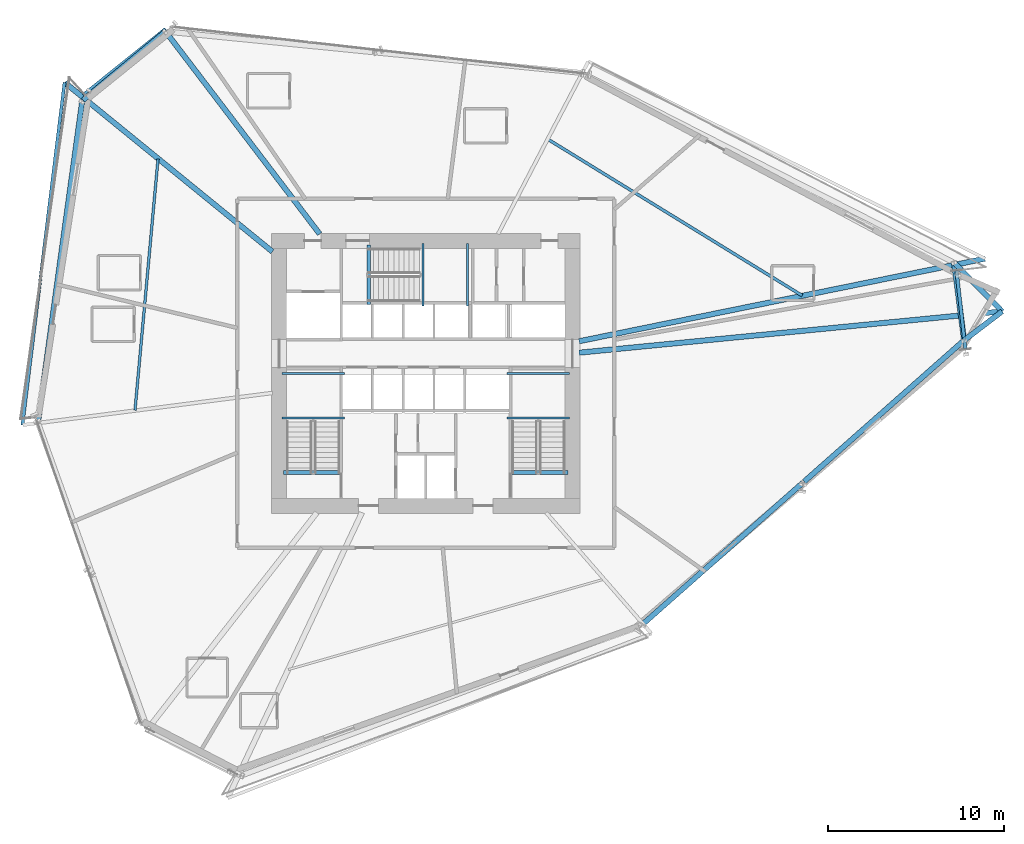
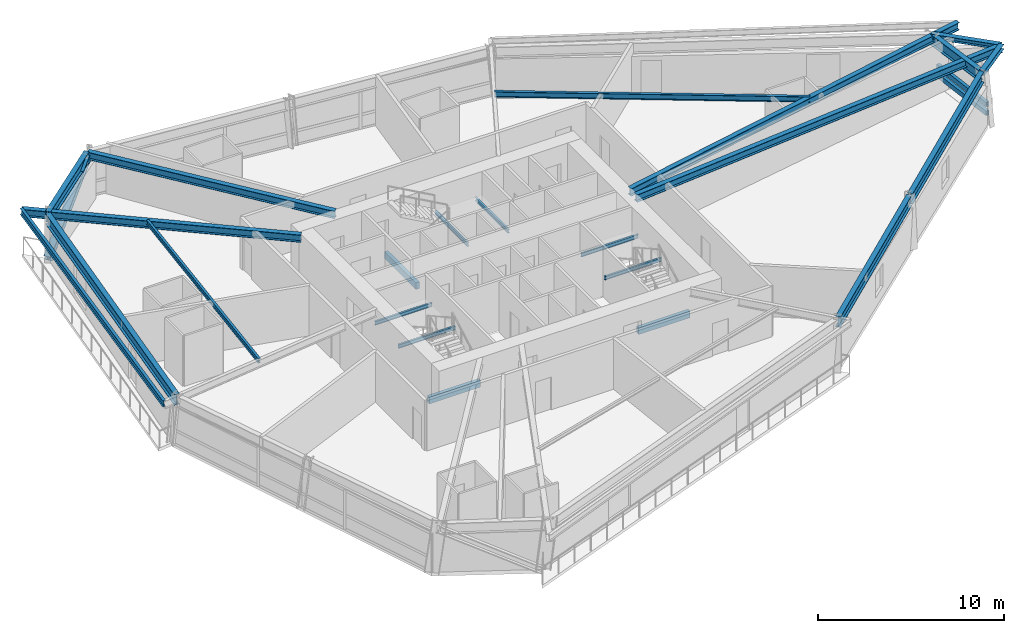
# One storey, part 7 of 22: 23 beams, 3 members.
"""IFC4 building model written with IfcOpenShell, lengths in metres."""

import ifcopenshell
import ifcopenshell.guid

model = None  # the IFC model being written
_history = None  # IfcOwnerHistory: only IFC2X3 demands one
_inside = {}  # id of a spatial element -> (the spatial element, [elements in it])
_under = {}  # id of a project, library or spatial element -> (it, [spatial elements below it])
_declared = {}  # id of a project -> (the project, [libraries it declares])
_typed = {}  # id of a type object -> (the type object, [elements of that type])
_made_of = {}  # id of a material, layer set ... -> (it, [elements and type objects made of it])


def new_model(schema):
    """Start an empty IFC model of exactly this schema.

    Asked for "IFC4X3", IfcOpenShell would pick the latest addendum, in which some entities
    have other attributes; the version numbers below select the first issue.
    IFC2X3 requires an IfcOwnerHistory on every rooted entity: one is made here for all.
    """
    global model, _history
    if schema == "IFC4X3":
        model = ifcopenshell.file(schema_version=(4, 3, 0, 0))
    else:
        model = ifcopenshell.file(schema=schema)
    _inside.clear()
    _under.clear()
    _declared.clear()
    _typed.clear()
    _made_of.clear()
    _history = None
    if model.schema == "IFC2X3":
        org = make("IfcOrganization", Name="unknown")
        user = make(
            "IfcPersonAndOrganization",
            ThePerson=make("IfcPerson", FamilyName="unknown"),
            TheOrganization=org,
        )
        app = make(
            "IfcApplication",
            ApplicationDeveloper=org,
            Version="unknown",
            ApplicationFullName="unknown",
            ApplicationIdentifier="unknown",
        )
        _history = make(
            "IfcOwnerHistory",
            OwningUser=user,
            OwningApplication=app,
            ChangeAction="ADDED",
            CreationDate=0,
        )
    return model


def make(cls, **values):
    """One entity of the class cls with the attributes given. An attribute that is None is left unset."""
    return model.create_entity(
        cls, **{name: value for name, value in values.items() if value is not None}
    )


def rooted(cls, **values):
    """An entity with a GlobalId (a new one), such as an element, a storey or a relation."""
    return make(cls, GlobalId=ifcopenshell.guid.new(), OwnerHistory=_history, **values)


def si_unit(unit_type, name, prefix=None):
    """IfcSIUnit, for example si_unit("LENGTHUNIT", "METRE", prefix="MILLI")."""
    return make("IfcSIUnit", UnitType=unit_type, Prefix=prefix, Name=name)


def assignment(units):
    """IfcUnitAssignment: the units of a project."""
    return None if units is None else make("IfcUnitAssignment", Units=units)


def point(xyz):
    """IfcCartesianPoint."""
    return None if xyz is None else make("IfcCartesianPoint", Coordinates=xyz)


def direction(xyz):
    """IfcDirection."""
    return None if xyz is None else make("IfcDirection", DirectionRatios=xyz)


def frame(location, z_axis=None, x_axis=None):
    """IfcAxis2Placement3D, a coordinate frame: its origin and axes. An axis left out is left unset."""
    return make(
        "IfcAxis2Placement3D",
        Location=point(location),
        Axis=direction(z_axis),
        RefDirection=direction(x_axis),
    )


def frame_2d(location, x_axis=None):
    """IfcAxis2Placement2D, a coordinate frame in the plane: its origin and x axis."""
    return make(
        "IfcAxis2Placement2D", Location=point(location), RefDirection=direction(x_axis)
    )


def origin():
    """The frame at (0, 0, 0) with its axes left unset."""
    return frame((0.0, 0.0, 0.0))


def origin_2d():
    """The frame at (0, 0) in the plane with its x axis left unset."""
    return frame_2d((0.0, 0.0))


def place(relative_to, where):
    """IfcLocalPlacement: puts the frame where relative to a parent placement (None: the world)."""
    return make(
        "IfcLocalPlacement", PlacementRelTo=relative_to, RelativePlacement=where
    )


def context(
    kind, dimensions, precision=None, world=None, true_north=None, identifier=None
):
    """IfcGeometricRepresentationContext, for example the 3D "Model" context."""
    return make(
        "IfcGeometricRepresentationContext",
        ContextIdentifier=identifier,
        ContextType=kind,
        CoordinateSpaceDimension=dimensions,
        Precision=precision,
        WorldCoordinateSystem=world,
        TrueNorth=true_north,
    )


def subcontext(parent, identifier, kind, view, scale=None):
    """IfcGeometricRepresentationSubContext, for example "Body" below "Model"."""
    return make(
        "IfcGeometricRepresentationSubContext",
        ContextIdentifier=identifier,
        ContextType=kind,
        ParentContext=parent,
        TargetScale=scale,
        TargetView=view,
    )


def project(units=None, contexts=None):
    """IfcProject with its units and contexts."""
    return rooted(
        "IfcProject",
        Name="project",
        RepresentationContexts=contexts,
        UnitsInContext=assignment(units),
    )


def spatial(cls, under=None, at=None, **own):
    """A site, building, storey or space (cls), placed at a placement, below another one or the project."""
    s = rooted(cls, ObjectPlacement=at, **own)
    if under is not None:
        _under.setdefault(under.id(), (under, []))[1].append(s)
    return s


def profile(cls, at=None, kind="AREA", **sizes):
    """A parametric profile (cls). Its sizes go by their IFC names, for example OverallWidth=200.0."""
    return make(cls, ProfileType=kind, Position=at, **sizes)


def rectangle(**sizes):
    """IfcRectangleProfileDef."""
    return profile("IfcRectangleProfileDef", **sizes)


def hollow_rectangle(**sizes):
    """IfcRectangleHollowProfileDef."""
    return profile("IfcRectangleHollowProfileDef", **sizes)


def i_section(**sizes):
    """IfcIShapeProfileDef."""
    return profile("IfcIShapeProfileDef", **sizes)


def extrude(swept, where, along, depth):
    """IfcExtrudedAreaSolid: the profile swept, set in the frame where, extruded along a direction by depth."""
    return make(
        "IfcExtrudedAreaSolid",
        SweptArea=swept,
        Position=where,
        ExtrudedDirection=direction(along),
        Depth=depth,
    )


def shape(context_of_items, identifier, shape_type, items):
    """IfcShapeRepresentation: the items that make up one representation, for example the "Body"."""
    return make(
        "IfcShapeRepresentation",
        ContextOfItems=context_of_items,
        RepresentationIdentifier=identifier,
        RepresentationType=shape_type,
        Items=items,
    )


def source(mapping_origin, context_of_items, identifier, shape_type, items):
    """IfcRepresentationMap: a shape defined once, which mapped items show again and again."""
    return make(
        "IfcRepresentationMap",
        MappingOrigin=mapping_origin,
        MappedRepresentation=shape(context_of_items, identifier, shape_type, items),
    )


def transform(
    local_origin,
    x_axis=None,
    y_axis=None,
    z_axis=None,
    scale=None,
    scale2=None,
    scale3=None,
    uniform=True,
):
    """IfcCartesianTransformationOperator3D, or its non-uniform kind. x_axis, y_axis, z_axis: its Axis1, 2, 3."""
    if uniform:
        return make(
            "IfcCartesianTransformationOperator3D",
            Axis1=direction(x_axis),
            Axis2=direction(y_axis),
            LocalOrigin=point(local_origin),
            Scale=scale,
            Axis3=direction(z_axis),
        )
    return make(
        "IfcCartesianTransformationOperator3DnonUniform",
        Axis1=direction(x_axis),
        Axis2=direction(y_axis),
        LocalOrigin=point(local_origin),
        Scale=scale,
        Axis3=direction(z_axis),
        Scale2=scale2,
        Scale3=scale3,
    )


def mapped(mapping_source, mapping_target):
    """IfcMappedItem: shows the shape of a source again, moved by a transform."""
    return make(
        "IfcMappedItem", MappingSource=mapping_source, MappingTarget=mapping_target
    )


def material(Name=None, Category=None):
    """IfcMaterial."""
    return make("IfcMaterial", Name=Name, Category=Category)


def material_profile(
    of_material, cross_section, Name=None, Category=None, Priority=None
):
    """IfcMaterialProfile: a cross section and its material."""
    return make(
        "IfcMaterialProfile",
        Name=Name,
        Material=of_material,
        Profile=cross_section,
        Priority=Priority,
        Category=Category,
    )


def profile_set(profiles, Name=None, composite=None):
    """IfcMaterialProfileSet."""
    return make(
        "IfcMaterialProfileSet",
        Name=Name,
        MaterialProfiles=profiles,
        CompositeProfile=composite,
    )


def made_of(thing, what):
    """Note that an element or type object is made of a material, layer set ...; save() writes the relation."""
    if what is not None:
        _made_of.setdefault(what.id(), (what, []))[1].append(thing)
    return thing


def type_object(cls, material=None, **own):
    """A type object (cls), such as IfcWallType, which elements share."""
    return made_of(rooted(cls, **own), material)


def element(
    cls,
    number,
    at=None,
    inside=None,
    cuts=None,
    type_object=None,
    material=None,
    context=None,
    identifier="Body",
    shape_type=None,
    held_by="IfcProductDefinitionShape",
    body=None,
    shapes=None,
    **own,
):
    """One element of the class cls, such as IfcWall. Its Tag is "e" and its number.

    at: its placement. inside: the storey or other place that contains it. cuts: it is an
    opening in that element (IfcRelVoidsElement). A single representation is given by context,
    identifier, shape_type and body (its items); several are given by shapes. held_by: the class
    of the entity that holds the representations. save() writes the other relations.
    """
    e = rooted(cls, Tag="e%d" % number, ObjectPlacement=at, **own)
    if body is not None:
        shapes = [shape(context, identifier, shape_type, body)]
    if shapes is not None:
        e.Representation = make(held_by, Representations=shapes)
    if inside is not None:
        _inside.setdefault(inside.id(), (inside, []))[1].append(e)
    if cuts is not None:
        rooted(
            "IfcRelVoidsElement", RelatingBuildingElement=cuts, RelatedOpeningElement=e
        )
    if type_object is not None:
        _typed.setdefault(type_object.id(), (type_object, []))[1].append(e)
    return made_of(e, material)


def aggregate(whole, parts):
    """IfcRelAggregates: a whole, such as a stair, and the parts it consists of."""
    return rooted("IfcRelAggregates", RelatingObject=whole, RelatedObjects=parts)


def save(model, path):
    """Write the relations noted so far, then the file.

    IfcRelAggregates (storeys below a building ...), IfcRelContainedInSpatialStructure (elements
    in a storey), IfcRelDefinesByType, IfcRelAssociatesMaterial and IfcRelDeclares: one each for
    every whole, place, type object, material and project.
    """
    for whole, parts in _under.values():
        aggregate(whole, parts)
    for where, things in _inside.values():
        rooted(
            "IfcRelContainedInSpatialStructure",
            RelatedElements=things,
            RelatingStructure=where,
        )
    for kind, things in _typed.values():
        rooted("IfcRelDefinesByType", RelatedObjects=things, RelatingType=kind)
    for what, things in _made_of.values():
        rooted("IfcRelAssociatesMaterial", RelatedObjects=things, RelatingMaterial=what)
    for by, libraries in _declared.values():
        rooted("IfcRelDeclares", RelatingContext=by, RelatedDefinitions=libraries)
    model.write(path)


model = new_model("IFC4")

# Units and contexts
model_context = context("Model", 3, precision=1e-05, world=origin(), true_north=direction((0.0, 1.0)))
body_context = subcontext(model_context, "Body", "Model", "MODEL_VIEW")
ifc_project = project(units=[si_unit("LENGTHUNIT", "METRE"), si_unit("AREAUNIT", "SQUARE_METRE"), si_unit("VOLUMEUNIT", "CUBIC_METRE"), si_unit("PLANEANGLEUNIT", "RADIAN"), si_unit("MASSUNIT", "GRAM", prefix="KILO")], contexts=[model_context])

# Site, building, storey
site_placement = place(None, origin())
site = spatial("IfcSite", under=ifc_project, at=site_placement, CompositionType="ELEMENT")
building_placement = place(site_placement, origin())
building = spatial("IfcBuilding", under=site, at=building_placement, Name="Olszyna Solenne Hotel", CompositionType="ELEMENT")
storey_placement = place(building_placement, frame((0.0, 0.0, 61.25)))
storey = spatial("IfcBuildingStorey", under=building, at=storey_placement, Name="L15", CompositionType="ELEMENT", Elevation=61.25)

# Beams
ifc_material_1 = material(Name="Steel S355J2", Category="steel")
ifc_material_profile_1 = material_profile(ifc_material_1, i_section(OverallWidth=0.300048828125, OverallDepth=0.699951171875, WebThickness=0.01708984375, FlangeThickness=0.031982421875, at=origin_2d()), Name="HEB 700", Category="load-bearing")
ifc_profile_set_1 = profile_set([ifc_material_profile_1], Name="Steel S355J2")
beam_type_1 = type_object("IfcBeamType", Name="BM-S1", PredefinedType="BEAM", material=ifc_profile_set_1)
shared_shape_1 = source(origin(), body_context, "Body", "SweptSolid", [
    extrude(i_section(OverallWidth=0.300048828125, OverallDepth=0.699951171875, WebThickness=0.01708984375, FlangeThickness=0.031982421875, at=origin_2d()), origin(), (0.0, 0.0, 1.0), 4.31982421875),
])
beam_1_placement = place(storey_placement, frame((68.550048828125, 28.53271484375, 2.949951171875), z_axis=(-0.127949819118, 0.991780642979, 0.0), x_axis=(-0.991780642979, -0.127949819118, 0.0)))
element("IfcBeam", 1, at=beam_1_placement, inside=storey, type_object=beam_type_1, Name="Perimeter spandrel beam BM-S1 B-L15-0466", PredefinedType="BEAM", context=body_context, shape_type="MappedRepresentation", body=[
    mapped(shared_shape_1, transform((0.0, 0.0, 0.0), x_axis=(1.0, 0.0, 0.0), y_axis=(0.0, 1.0, 0.0), z_axis=(0.0, 0.0, 1.0), scale=1.0)),
])
shared_shape_2 = source(origin(), body_context, "Body", "SweptSolid", [
    extrude(i_section(OverallWidth=0.300048828125, OverallDepth=0.699951171875, WebThickness=0.01708984375, FlangeThickness=0.031982421875, at=origin_2d()), origin(), (0.0, 0.0, 1.0), 6.03369140625),
])
beam_2_placement = place(storey_placement, frame((23.177978515625, 45.968017578125, 2.949951171875), z_axis=(-0.768271026871, -0.64012469822, 0.0), x_axis=(0.64012469822, -0.768271026871, 0.0)))
element("IfcBeam", 2, at=beam_2_placement, inside=storey, type_object=beam_type_1, Name="Perimeter spandrel beam BM-S1 B-L15-0470", PredefinedType="BEAM", context=body_context, shape_type="MappedRepresentation", body=[
    mapped(shared_shape_2, transform((0.0, 0.0, 0.0), x_axis=(1.0, 0.0, 0.0), y_axis=(0.0, 1.0, 0.0), z_axis=(0.0, 0.0, 1.0), scale=1.0)),
])
shared_shape_3 = source(origin(), body_context, "Body", "SweptSolid", [
    extrude(i_section(OverallWidth=0.300048828125, OverallDepth=0.699951171875, WebThickness=0.01708984375, FlangeThickness=0.031982421875, at=origin_2d()), origin(), (0.0, 0.0, 1.0), 18.336181640625),
])
beam_3_placement = place(storey_placement, frame((18.48828125, 42.0078125, 2.949951171875), z_axis=(-0.136196288767, -0.990681871706, 0.0), x_axis=(0.990681871706, -0.136196288767, 0.0)))
element("IfcBeam", 3, at=beam_3_placement, inside=storey, type_object=beam_type_1, Name="Perimeter spandrel beam BM-S1 B-L15-0471", PredefinedType="BEAM", context=body_context, shape_type="MappedRepresentation", body=[
    mapped(shared_shape_3, transform((0.0, 0.0, 0.0), x_axis=(1.0, 0.0, 0.0), y_axis=(0.0, 1.0, 0.0), z_axis=(0.0, 0.0, 1.0), scale=1.0)),
])
shared_shape_4 = source(origin(), body_context, "Body", "SweptSolid", [
    extrude(i_section(OverallWidth=0.300048828125, OverallDepth=0.699951171875, WebThickness=0.01708984375, FlangeThickness=0.031982421875, at=origin_2d()), origin(), (0.0, 0.0, 1.0), 12.055908203125),
])
for number, where, z_axis, x_axis, name in (
    (4, (50.350341796875, 12.39306640625, 2.949951171875), (0.749541701438, 0.661957126864, 0.0), (-0.661957126864, 0.749541701438, 0.0), "Perimeter spandrel beam BM-S1 B-L15-0476"),
    (5, (59.4765625, 20.452880859375, 2.949951171875), (0.749522779758, 0.661978551483, 0.0), (-0.661978551483, 0.749522779758, 0.0), "Perimeter spandrel beam BM-S1 B-L15-0477"),
):
    element("IfcBeam", number, at=place(storey_placement, frame(where, z_axis=z_axis, x_axis=x_axis)), inside=storey, type_object=beam_type_1, Name=name, PredefinedType="BEAM", context=body_context, shape_type="MappedRepresentation", body=[
        mapped(shared_shape_4, transform((0.0, 0.0, 0.0), x_axis=(1.0, 0.0, 0.0), y_axis=(0.0, 1.0, 0.0), z_axis=(0.0, 0.0, 1.0), scale=1.0)),
    ])
ifc_material_profile_2 = material_profile(ifc_material_1, i_section(OverallWidth=0.300048828125, OverallDepth=0.489990234375, WebThickness=0.011962890625, FlangeThickness=0.02294921875, at=origin_2d()), Name="HEA 500", Category="load-bearing")
ifc_profile_set_2 = profile_set([ifc_material_profile_2], Name="Steel S355J2")
beam_type_2 = type_object("IfcBeamType", Name="BM-G1", PredefinedType="BEAM", material=ifc_profile_set_2)
shared_shape_5 = source(origin(), body_context, "Body", "SweptSolid", [
    extrude(i_section(OverallWidth=0.300048828125, OverallDepth=0.489990234375, WebThickness=0.011962890625, FlangeThickness=0.02294921875, at=origin_2d()), origin(), (0.0, 0.0, 1.0), 24.109130859375),
])
beam_4_placement = place(storey_placement, frame((70.6953125, 30.11474609375, 3.054931640625), z_axis=(-0.995263456555, -0.097214464179, 0.0), x_axis=(0.097214464179, -0.995263456555, 0.0)))
element("IfcBeam", 6, at=beam_4_placement, inside=storey, type_object=beam_type_2, Name="Radial floor girder BM-G1 B-L15-0478", PredefinedType="BEAM", context=body_context, shape_type="MappedRepresentation", body=[
    mapped(shared_shape_5, transform((0.0, 0.0, 0.0), x_axis=(1.0, 0.0, 0.0), y_axis=(0.0, 1.0, 0.0), z_axis=(0.0, 0.0, 1.0), scale=1.0)),
])
shared_shape_6 = source(origin(), body_context, "Body", "SweptSolid", [
    extrude(i_section(OverallWidth=0.300048828125, OverallDepth=0.489990234375, WebThickness=0.011962890625, FlangeThickness=0.02294921875, at=origin_2d()), origin(), (0.0, 0.0, 1.0), 23.50634765625),
])
beam_5_placement = place(storey_placement, frame((69.7353515625, 33.10888671875, 3.054931640625), z_axis=(-0.979913172729, -0.199424607088, 0.0), x_axis=(0.199424607088, -0.979913172729, 0.0)))
element("IfcBeam", 7, at=beam_5_placement, inside=storey, type_object=beam_type_2, Name="Radial floor girder BM-G1 B-L15-0479", PredefinedType="BEAM", context=body_context, shape_type="MappedRepresentation", body=[
    mapped(shared_shape_6, transform((0.0, 0.0, 0.0), x_axis=(1.0, 0.0, 0.0), y_axis=(0.0, 1.0, 0.0), z_axis=(0.0, 0.0, 1.0), scale=1.0)),
])
shared_shape_7 = source(origin(), body_context, "Body", "SweptSolid", [
    extrude(i_section(OverallWidth=0.300048828125, OverallDepth=0.489990234375, WebThickness=0.011962890625, FlangeThickness=0.02294921875, at=origin_2d()), origin(), (0.0, 0.0, 1.0), 14.389404296875),
])
beam_6_placement = place(storey_placement, frame((23.26025390625, 45.958740234375, 3.054931640625), z_axis=(0.605796280312, -0.795619800382, 0.0), x_axis=(0.795619800382, 0.605796280312, 0.0)))
element("IfcBeam", 8, at=beam_6_placement, inside=storey, type_object=beam_type_2, Name="Radial floor girder BM-G1 B-L15-0481", PredefinedType="BEAM", context=body_context, shape_type="MappedRepresentation", body=[
    mapped(shared_shape_7, transform((0.0, 0.0, 0.0), x_axis=(1.0, 0.0, 0.0), y_axis=(0.0, 1.0, 0.0), z_axis=(0.0, 0.0, 1.0), scale=1.0)),
])
shared_shape_8 = source(origin(), body_context, "Body", "SweptSolid", [
    extrude(i_section(OverallWidth=0.300048828125, OverallDepth=0.489990234375, WebThickness=0.011962890625, FlangeThickness=0.02294921875, at=origin_2d()), origin(), (0.0, 0.0, 1.0), 15.194580078125),
])
beam_7_placement = place(storey_placement, frame((17.5078125, 43.103271484375, 3.054931640625), z_axis=(0.775380673946, -0.631494109609, 0.0), x_axis=(0.631494109609, 0.775380673946, 0.0)))
element("IfcBeam", 9, at=beam_7_placement, inside=storey, type_object=beam_type_2, Name="Radial floor girder BM-G1 B-L15-0482", PredefinedType="BEAM", context=body_context, shape_type="MappedRepresentation", body=[
    mapped(shared_shape_8, transform((0.0, 0.0, 0.0), x_axis=(1.0, 0.0, 0.0), y_axis=(0.0, 1.0, 0.0), z_axis=(0.0, 0.0, 1.0), scale=1.0)),
])
ifc_material_profile_3 = material_profile(ifc_material_1, i_section(OverallWidth=0.300048828125, OverallDepth=0.31005859375, WebThickness=0.009033203125, FlangeThickness=0.015380859375, at=origin_2d()), Name="HEA 320", Category="load-bearing")
ifc_profile_set_3 = profile_set([ifc_material_profile_3], Name="Steel S355J2")
beam_type_3 = type_object("IfcBeamType", Name="BM-G3", PredefinedType="BEAM", material=ifc_profile_set_3)
shared_shape_9 = source(origin(), body_context, "Body", "SweptSolid", [
    extrude(i_section(OverallWidth=0.300048828125, OverallDepth=0.31005859375, WebThickness=0.009033203125, FlangeThickness=0.015380859375, at=origin_2d()), origin(), (0.0, 0.0, 1.0), 2.7119140625),
])
beam_8_placement = place(storey_placement, frame((68.557861328125, 28.47314453125, 3.14501953125), z_axis=(0.795439986025, 0.606032365994, 0.0), x_axis=(-0.606032365994, 0.795439986025, 0.0)))
element("IfcBeam", 10, at=beam_8_placement, inside=storey, type_object=beam_type_3, Name="Prism side edge beam BM-G3 B-L15-0487", PredefinedType="BEAM", context=body_context, shape_type="MappedRepresentation", body=[
    mapped(shared_shape_9, transform((0.0, 0.0, 0.0), x_axis=(1.0, 0.0, 0.0), y_axis=(0.0, 1.0, 0.0), z_axis=(0.0, 0.0, 1.0), scale=1.0)),
])
shared_shape_10 = source(origin(), body_context, "Body", "SweptSolid", [
    extrude(i_section(OverallWidth=0.300048828125, OverallDepth=0.31005859375, WebThickness=0.009033203125, FlangeThickness=0.015380859375, at=origin_2d()), origin(), (0.0, 0.0, 1.0), 3.87890625),
])
beam_9_placement = place(storey_placement, frame((67.98974609375, 32.876708984375, 3.14501953125), z_axis=(0.70262376329, -0.711561555496, 0.0), x_axis=(0.711561555496, 0.70262376329, 0.0)))
element("IfcBeam", 11, at=beam_9_placement, inside=storey, type_object=beam_type_3, Name="Prism side edge beam BM-G3 B-L15-0488", PredefinedType="BEAM", context=body_context, shape_type="MappedRepresentation", body=[
    mapped(shared_shape_10, transform((0.0, 0.0, 0.0), x_axis=(1.0, 0.0, 0.0), y_axis=(0.0, 1.0, 0.0), z_axis=(0.0, 0.0, 1.0), scale=1.0)),
])
ifc_material_profile_4 = material_profile(ifc_material_1, i_section(OverallWidth=0.169921875, OverallDepth=0.360107421875, WebThickness=0.008056640625, FlangeThickness=0.0126953125, at=origin_2d()), Name="IPE 360", Category="load-bearing")
ifc_profile_set_4 = profile_set([ifc_material_profile_4], Name="Steel S355J2")
beam_type_4 = type_object("IfcBeamType", Name="JS-01", PredefinedType="JOIST", material=ifc_profile_set_4)
shared_shape_11 = source(origin(), body_context, "Body", "SweptSolid", [
    extrude(i_section(OverallWidth=0.169921875, OverallDepth=0.360107421875, WebThickness=0.008056640625, FlangeThickness=0.0126953125, at=origin_2d()), origin(), (0.0, 0.0, 1.0), 16.93798828125),
])
beam_10_placement = place(storey_placement, frame((59.36376953125, 31.011962890625, 3.1201171875), z_axis=(-0.851869567287, 0.523753988367, 0.0), x_axis=(-0.523753988367, -0.851869567287, 0.0)))
element("IfcBeam", 12, at=beam_10_placement, inside=storey, type_object=beam_type_4, Name="Secondary composite floor joist JS-01 B-L15-0489", PredefinedType="JOIST", context=body_context, shape_type="MappedRepresentation", body=[
    mapped(shared_shape_11, transform((0.0, 0.0, 0.0), x_axis=(1.0, 0.0, 0.0), y_axis=(0.0, 1.0, 0.0), z_axis=(0.0, 0.0, 1.0), scale=1.0)),
])
ifc_material_profile_5 = material_profile(ifc_material_1, i_section(OverallWidth=0.14990234375, OverallDepth=0.300048828125, WebThickness=0.007080078125, FlangeThickness=0.0107421875, at=origin_2d()), Name="IPE 300", Category="load-bearing")
ifc_profile_set_5 = profile_set([ifc_material_profile_5], Name="Steel S355J2")
beam_type_5 = type_object("IfcBeamType", Name="JS-02", PredefinedType="JOIST", material=ifc_profile_set_5)
shared_shape_12 = source(origin(), body_context, "Body", "SweptSolid", [
    extrude(i_section(OverallWidth=0.14990234375, OverallDepth=0.300048828125, WebThickness=0.007080078125, FlangeThickness=0.0107421875, at=origin_2d()), origin(), (0.0, 0.0, 1.0), 14.327392578125),
])
beam_11_placement = place(storey_placement, frame((22.799072265625, 38.7724609375, 3.14990234375), z_axis=(-0.09125015316, -0.99582800199, 0.0), x_axis=(0.99582800199, -0.09125015316, 0.0)))
element("IfcBeam", 13, at=beam_11_placement, inside=storey, type_object=beam_type_5, Name="Secondary composite floor joist JS-02 B-L15-0490", PredefinedType="JOIST", context=body_context, shape_type="MappedRepresentation", body=[
    mapped(shared_shape_12, transform((0.0, 0.0, 0.0), x_axis=(1.0, 0.0, 0.0), y_axis=(0.0, 1.0, 0.0), z_axis=(0.0, 0.0, 1.0), scale=1.0)),
])
ifc_material_profile_6 = material_profile(ifc_material_1, i_section(OverallWidth=0.179931640625, OverallDepth=0.39990234375, WebThickness=0.008544921875, FlangeThickness=0.013427734375, at=origin_2d()), Name="IPE 400", Category="load-bearing")
ifc_profile_set_6 = profile_set([ifc_material_profile_6], Name="Steel S355J2")
beam_type_6 = type_object("IfcBeamType", Name="BM-F5", PredefinedType="BEAM", material=ifc_profile_set_6)
shared_shape_13 = source(origin(), body_context, "Body", "SweptSolid", [
    extrude(i_section(OverallWidth=0.179931640625, OverallDepth=0.39990234375, WebThickness=0.008544921875, FlangeThickness=0.013427734375, at=origin_2d()), origin(), (0.0, 0.0, 1.0), 19.59716796875),
])
beam_12_placement = place(storey_placement, frame((17.4921875, 43.11572265625, 3.10009765625), z_axis=(-0.122062688639, -0.992522392716, 0.0), x_axis=(0.992522392716, -0.122062688639, 0.0)))
element("IfcBeam", 14, at=beam_12_placement, inside=storey, type_object=beam_type_6, Name="Loggia outer edge beam BM-F5 B-L15-0493", PredefinedType="BEAM", context=body_context, shape_type="MappedRepresentation", body=[
    mapped(shared_shape_13, transform((0.0, 0.0, 0.0), x_axis=(1.0, 0.0, 0.0), y_axis=(0.0, 1.0, 0.0), z_axis=(0.0, 0.0, 1.0), scale=1.0)),
])

# Members
ifc_material_profile_7 = material_profile(ifc_material_1, hollow_rectangle(XDim=0.199951171875, YDim=0.300048828125, WallThickness=0.01611328125, at=origin_2d()), Name="RHS 300x200x16", Category="load-bearing")
ifc_profile_set_7 = profile_set([ifc_material_profile_7], Name="Steel S355J2")
member_type_1 = type_object("IfcMemberType", Name="CH-PR1", PredefinedType="CHORD", material=ifc_profile_set_7)
shared_shape_14 = source(origin(), body_context, "Body", "SweptSolid", [
    extrude(hollow_rectangle(XDim=0.199951171875, YDim=0.300048828125, WallThickness=0.01611328125, at=origin_2d()), origin(), (0.0, 0.0, 1.0), 4.478271484375),
])
for number, where, z_axis, x_axis, name in (
    (15, (68.629638671875, 27.979248046875, 1.35009765625), (-0.112358002831, 0.993667791166, 0.0), (-0.993667791166, -0.112358002831, 0.0), "Glass-prism tie chord CH-PR1 M-L15-PR1"),
    (16, (68.629638671875, 27.979248046875, 0.780029296875), (-0.112358002831, 0.993667791166, 0.0), (-0.993667791166, -0.112358002831, 0.0), "Glass-prism tie chord CH-PR1 M-L15-PR2"),
):
    element("IfcMember", number, at=place(storey_placement, frame(where, z_axis=z_axis, x_axis=x_axis)), inside=storey, type_object=member_type_1, Name=name, PredefinedType="CHORD", context=body_context, shape_type="MappedRepresentation", body=[
        mapped(shared_shape_14, transform((0.0, 0.0, 0.0), x_axis=(1.0, 0.0, 0.0), y_axis=(0.0, 1.0, 0.0), z_axis=(0.0, 0.0, 1.0), scale=1.0)),
    ])
ifc_material_2 = material(Name="Steel S460M", Category="steel")
ifc_material_profile_8 = material_profile(ifc_material_2, i_section(OverallWidth=0.412109375, OverallDepth=0.43505859375, WebThickness=0.031494140625, FlangeThickness=0.050048828125, at=origin_2d()), Name="HD 400x463", Category="load-bearing")
ifc_profile_set_8 = profile_set([ifc_material_profile_8], Name="Steel S460M")
member_type_2 = type_object("IfcMemberType", Name="BR-T1", PredefinedType="BRACE", material=ifc_profile_set_8)
shared_shape_15 = source(origin(), body_context, "Body", "SweptSolid", [
    extrude(i_section(OverallWidth=0.412109375, OverallDepth=0.43505859375, WebThickness=0.031494140625, FlangeThickness=0.050048828125, at=origin_2d()), origin(), (0.0, 0.0, 1.0), 6.489013671875),
])
member_placement = place(storey_placement, frame((18.697265625, 42.376708984375, 0.010009765625), z_axis=(0.697630067026, 0.559360705775, 0.447691735926), x_axis=(-0.625551595611, 0.78018279988, 0.0)))
element("IfcMember", 17, at=member_placement, inside=storey, type_object=member_type_2, Name="Perimeter braced-tube diagonal BR-T1 BR-L15-2", PredefinedType="BRACE", context=body_context, shape_type="MappedRepresentation", body=[
    mapped(shared_shape_15, transform((0.0, 0.0, 0.0), x_axis=(1.0, 0.0, 0.0), y_axis=(0.0, 1.0, 0.0), z_axis=(0.0, 0.0, 1.0), scale=1.0)),
])

# Beams
ifc_material_profile_9 = material_profile(ifc_material_1, i_section(OverallWidth=0.1201171875, OverallDepth=0.239990234375, WebThickness=0.006103515625, FlangeThickness=0.009765625, at=origin_2d()), Name="IPE 240", Category="load-bearing")
ifc_profile_set_9 = profile_set([ifc_material_profile_9], Name="Steel S355J2")
beam_type_7 = type_object("IfcBeamType", Name="JS-03", PredefinedType="JOIST", material=ifc_profile_set_9)
shared_shape_16 = source(origin(), body_context, "Body", "SweptSolid", [
    extrude(i_section(OverallWidth=0.1201171875, OverallDepth=0.239990234375, WebThickness=0.006103515625, FlangeThickness=0.009765625, at=origin_2d()), origin(), (0.0, 0.0, 1.0), 3.539794921875),
])
for number, where, z_axis, x_axis, name in (
    (18, (33.3798828125, 24.070068359375, 1.449951171875), (-1.0, 0.0, 0.0), (0.0, -1.0, 0.0), "Stair landing support beam JS-03 SLB-ST1-0035"),
    (19, (33.3798828125, 26.580078125, 1.449951171875), (-1.0, 0.0, 0.0), (0.0, -1.0, 0.0), "Stair landing support beam JS-03 SLB-ST1-0036"),
    (20, (46.159912109375, 24.070068359375, 1.449951171875), (-1.0, 0.0, 0.0), (0.0, -1.0, 0.0), "Stair landing support beam JS-03 SLB-ST2-0275"),
    (21, (46.159912109375, 26.580078125, 1.449951171875), (-1.0, 0.0, 0.0), (0.0, -1.0, 0.0), "Stair landing support beam JS-03 SLB-ST2-0276"),
):
    element("IfcBeam", number, at=place(storey_placement, frame(where, z_axis=z_axis, x_axis=x_axis)), inside=storey, type_object=beam_type_7, Name=name, PredefinedType="JOIST", context=body_context, shape_type="MappedRepresentation", body=[
        mapped(shared_shape_16, transform((0.0, 0.0, 0.0), x_axis=(1.0, 0.0, 0.0), y_axis=(0.0, 1.0, 0.0), z_axis=(0.0, 0.0, 1.0), scale=1.0)),
    ])
ifc_material_3 = material(Name="Concrete C50/60", Category="concrete")
ifc_material_profile_10 = material_profile(ifc_material_3, rectangle(XDim=0.219970703125, YDim=0.43994140625, at=origin_2d()), Name="RC 220x440", Category="load-bearing")
ifc_profile_set_10 = profile_set([ifc_material_profile_10], Name="Concrete C50/60")
beam_type_8 = type_object("IfcBeamType", Name="BM-ST1", PredefinedType="BEAM", material=ifc_profile_set_10)
shared_shape_17 = source(origin(), body_context, "Body", "SweptSolid", [
    extrude(rectangle(XDim=0.219970703125, YDim=0.43994140625, at=origin_2d()), origin(), (0.0, 0.0, 1.0), 3.18017578125),
])
for number, where, z_axis, x_axis, name in (
    (22, (33.10009765625, 20.97998046875, -0.205078125), (-1.0, 0.0, 0.0), (0.0, -1.0, 0.0), "Concrete stair trimmer beam BM-ST1 SHB-ST1-0177"),
    (23, (46.080078125, 20.97998046875, -0.205078125), (-1.0, 0.0, 0.0), (0.0, -1.0, 0.0), "Concrete stair trimmer beam BM-ST1 SHB-ST2-0417"),
):
    element("IfcBeam", number, at=place(storey_placement, frame(where, z_axis=z_axis, x_axis=x_axis)), inside=storey, type_object=beam_type_8, Name=name, PredefinedType="BEAM", context=body_context, shape_type="MappedRepresentation", body=[
        mapped(shared_shape_17, transform((0.0, 0.0, 0.0), x_axis=(1.0, 0.0, 0.0), y_axis=(0.0, 1.0, 0.0), z_axis=(0.0, 0.0, 1.0), scale=1.0)),
    ])
shared_shape_18 = source(origin(), body_context, "Body", "SweptSolid", [
    extrude(i_section(OverallWidth=0.1201171875, OverallDepth=0.239990234375, WebThickness=0.006103515625, FlangeThickness=0.009765625, at=origin_2d()), origin(), (0.0, 0.0, 1.0), 3.5400390625),
])
for number, where, z_axis, x_axis, name in (
    (24, (37.85009765625, 30.419921875, 1.449951171875), (0.0, 1.0, 0.0), (-1.0, 0.0, 0.0), "Stair landing support beam JS-03 SLB-ST3-0515"),
    (25, (40.360107421875, 30.419921875, 1.449951171875), (0.0, 1.0, 0.0), (-1.0, 0.0, 0.0), "Stair landing support beam JS-03 SLB-ST3-0516"),
):
    element("IfcBeam", number, at=place(storey_placement, frame(where, z_axis=z_axis, x_axis=x_axis)), inside=storey, type_object=beam_type_7, Name=name, PredefinedType="JOIST", context=body_context, shape_type="MappedRepresentation", body=[
        mapped(shared_shape_18, transform((0.0, 0.0, 0.0), x_axis=(1.0, 0.0, 0.0), y_axis=(0.0, 1.0, 0.0), z_axis=(0.0, 0.0, 1.0), scale=1.0)),
    ])
shared_shape_19 = source(origin(), body_context, "Body", "SweptSolid", [
    extrude(rectangle(XDim=0.219970703125, YDim=0.43994140625, at=origin_2d()), origin(), (0.0, 0.0, 1.0), 3.3798828125),
])
beam_13_placement = place(storey_placement, frame((34.760009765625, 30.5, -0.205078125), z_axis=(0.0, 1.0, 0.0), x_axis=(-1.0, 0.0, 0.0)))
element("IfcBeam", 26, at=beam_13_placement, inside=storey, type_object=beam_type_8, Name="Concrete stair trimmer beam BM-ST1 SHB-ST3-0655", PredefinedType="BEAM", context=body_context, shape_type="MappedRepresentation", body=[
    mapped(shared_shape_19, transform((0.0, 0.0, 0.0), x_axis=(1.0, 0.0, 0.0), y_axis=(0.0, 1.0, 0.0), z_axis=(0.0, 0.0, 1.0), scale=1.0)),
])

save(model, "model.ifc")
